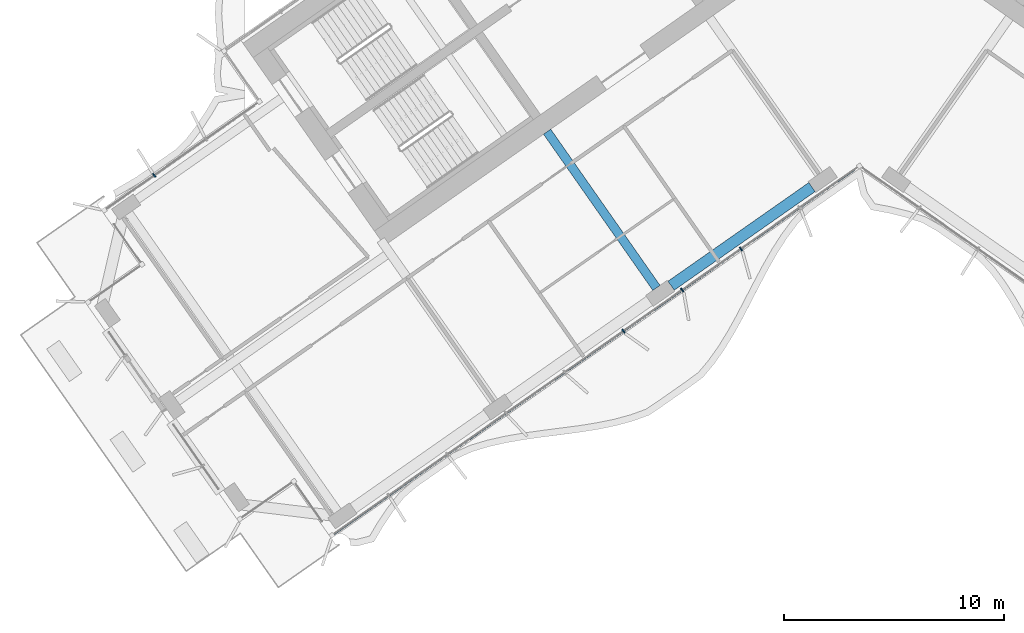
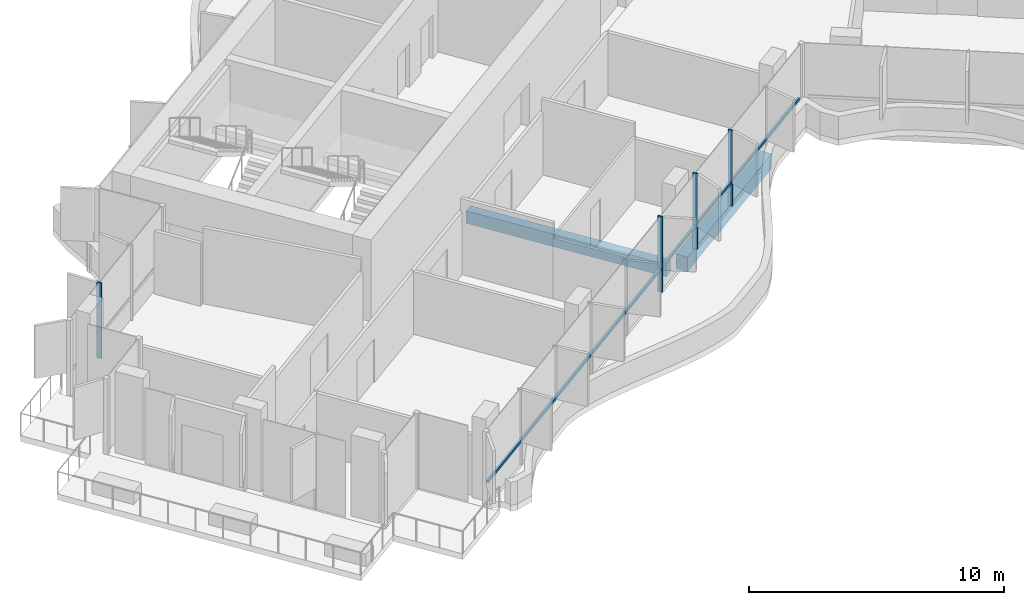
# One storey, part 3 of 22: 5 members, 2 beams, 2 elements without a shape of their own.
"""IFC4 building model written with IfcOpenShell, lengths in metres."""

from ifc_helpers import new_model, si_unit, direction, frame, origin, origin_2d, place, context, subcontext, project, spatial, rectangle, extrude, material, material_profile, profile_set, type_object, element, aggregate, save


model = new_model("IFC4")

# Units and contexts
model_context = context("Model", 3, precision=1e-05, world=origin(), true_north=direction((0.0, 1.0)))
body_context = subcontext(model_context, "Body", "Model", "MODEL_VIEW")
ifc_project = project(units=[si_unit("LENGTHUNIT", "METRE"), si_unit("AREAUNIT", "SQUARE_METRE"), si_unit("VOLUMEUNIT", "CUBIC_METRE"), si_unit("PLANEANGLEUNIT", "RADIAN"), si_unit("MASSUNIT", "GRAM", prefix="KILO")], contexts=[model_context])

# Site, building, storey
site_placement = place(None, origin())
site = spatial("IfcSite", under=ifc_project, at=site_placement, CompositionType="ELEMENT")
building_placement = place(site_placement, origin())
building = spatial("IfcBuilding", under=site, at=building_placement, Name="Tel Ilan Convention Tower", CompositionType="ELEMENT")
storey_placement = place(building_placement, frame((0.0, 0.0, 202.199951171875)))
storey = spatial("IfcBuildingStorey", under=building, at=storey_placement, Name="L47", CompositionType="ELEMENT", Elevation=202.199951171875)

# Beams
ifc_material_1 = material(Name="Concrete C40/50", Category="concrete")
ifc_material_profile_1 = material_profile(ifc_material_1, rectangle(XDim=0.39990234375, YDim=0.60009765625, at=origin_2d()), Name="RC 400x600")
ifc_profile_set_1 = profile_set([ifc_material_profile_1], Name="Concrete C40/50")
beam_type_1 = type_object("IfcBeamType", Name="Beam RC 400x600 Concrete C40/50", PredefinedType="BEAM", material=ifc_profile_set_1)
beam_1_placement = place(storey_placement, frame((-9.209716796875, -18.229248046875, -0.579833984375), z_axis=(-0.573574099654, 0.819153680457, 0.0), x_axis=(-0.819153680457, -0.573574099654, 0.0)))
element("IfcBeam", 1, at=beam_1_placement, inside=storey, type_object=beam_type_1, Name="L47 beam W-W-F2-core", PredefinedType="BEAM", context=body_context, shape_type="SweptSolid", body=[
    extrude(rectangle(XDim=0.39990234375, YDim=0.60009765625, at=origin_2d()), origin(), (0.0, 0.0, 1.0), 8.64990234375),
])
ifc_material_2 = material(Name="Concrete C40/50", Category="concrete")
ifc_material_profile_2 = material_profile(ifc_material_2, rectangle(XDim=0.5, YDim=0.699951171875, at=origin_2d()), Name="RC 500x700")
ifc_profile_set_2 = profile_set([ifc_material_profile_2], Name="Concrete C40/50")
beam_type_2 = type_object("IfcBeamType", Name="Beam RC 500x700 Concrete C40/50", PredefinedType="BEAM", material=ifc_profile_set_2)
beam_2_placement = place(storey_placement, frame((-2.15673828125, -13.656982421875, -0.6298828125), z_axis=(-0.819153977895, -0.573573674866, 0.0), x_axis=(0.573573674866, -0.819153977895, 0.0)))
element("IfcBeam", 2, at=beam_2_placement, inside=storey, type_object=beam_type_2, Name="L47 beam W-W-F1-W-F2", PredefinedType="BEAM", context=body_context, shape_type="SweptSolid", body=[
    extrude(rectangle(XDim=0.5, YDim=0.699951171875, at=origin_2d()), origin(), (0.0, 0.0, 1.0), 7.800048828125),
])

# Curtain wall, member
ifc_material_3 = material(Name="Aluminium, bronze anodised", Category="aluminium")
curtain_wall_type = type_object("IfcCurtainWallType", Name="CW4 STICK CURTAIN WALL, OFFICE TINTED GLASS", PredefinedType="NOTDEFINED", material=ifc_material_3)
curtain_wall_1_placement = place(storey_placement, origin())
curtain_wall_1 = element("IfcCurtainWall", 3, at=curtain_wall_1_placement, inside=storey, type_object=curtain_wall_type, Name="Curtain wall CW4-37.02", PredefinedType="NOTDEFINED")
ifc_material_4 = material(Name="Aluminium, bronze anodised", Category="aluminium")
ifc_material_profile_3 = material_profile(ifc_material_4, rectangle(XDim=0.06005859375, YDim=0.199951171875, at=origin_2d()), Name="CW MULLION 60x200")
ifc_profile_set_3 = profile_set([ifc_material_profile_3], Name="Aluminium, bronze anodised")
member_type_1 = type_object("IfcMemberType", Name="CW MULLION 60x200", PredefinedType="MULLION", material=ifc_profile_set_3)
member_1_placement = place(storey_placement, frame((-31.991943359375, -13.123046875, 0.0), z_axis=(0.0, 0.0, 1.0), x_axis=(-0.819152044289, -0.573576436351, 0.0)))
member_1 = element("IfcMember", 4, at=member_1_placement, type_object=member_type_1, Name="Mullion", PredefinedType="MULLION", context=body_context, shape_type="SweptSolid", body=[
    extrude(rectangle(XDim=0.06005859375, YDim=0.199951171875, at=origin_2d()), origin(), (0.0, 0.0, 1.0), 3.6201171875),
])
aggregate(curtain_wall_1, [member_1])

# Curtain wall, members
curtain_wall_2_placement = place(storey_placement, origin())
curtain_wall_2 = element("IfcCurtainWall", 5, at=curtain_wall_2_placement, inside=storey, type_object=curtain_wall_type, Name="Curtain wall CW4-37.04", PredefinedType="NOTDEFINED")
member_2_placement = place(storey_placement, frame((-10.70556640625, -20.192138671875, 0.0), z_axis=(0.0, 0.0, 1.0), x_axis=(0.819152044289, 0.573576436351, 0.0)))
member_2 = element("IfcMember", 6, at=member_2_placement, type_object=member_type_1, Name="Mullion", PredefinedType="MULLION", context=body_context, shape_type="SweptSolid", body=[
    extrude(rectangle(XDim=0.06005859375, YDim=0.199951171875, at=origin_2d()), origin(), (0.0, 0.0, 1.0), 3.6201171875),
])
member_3_placement = place(storey_placement, frame((-8.04345703125, -18.328125, 0.0), z_axis=(0.0, 0.0, 1.0), x_axis=(0.819152044289, 0.573576436351, 0.0)))
member_3 = element("IfcMember", 7, at=member_3_placement, type_object=member_type_1, Name="Mullion", PredefinedType="MULLION", context=body_context, shape_type="SweptSolid", body=[
    extrude(rectangle(XDim=0.06005859375, YDim=0.199951171875, at=origin_2d()), origin(), (0.0, 0.0, 1.0), 3.6201171875),
])
member_4_placement = place(storey_placement, frame((-5.38134765625, -16.464111328125, 0.0), z_axis=(0.0, 0.0, 1.0), x_axis=(0.819152044289, 0.573576436351, 0.0)))
member_4 = element("IfcMember", 8, at=member_4_placement, type_object=member_type_1, Name="Mullion", PredefinedType="MULLION", context=body_context, shape_type="SweptSolid", body=[
    extrude(rectangle(XDim=0.06005859375, YDim=0.199951171875, at=origin_2d()), origin(), (0.0, 0.0, 1.0), 3.6201171875),
])
ifc_material_5 = material(Name="Aluminium, bronze anodised", Category="aluminium")
ifc_material_profile_4 = material_profile(ifc_material_5, rectangle(XDim=0.10009765625, YDim=0.1201171875, at=origin_2d()), Name="CW TRANSOM 100x120")
ifc_profile_set_4 = profile_set([ifc_material_profile_4], Name="Aluminium, bronze anodised")
member_type_2 = type_object("IfcMemberType", Name="CW TRANSOM 100x120", PredefinedType="USERDEFINED", material=ifc_profile_set_4)
member_5_placement = place(storey_placement, frame((-23.85205078125, -29.3974609375, 1.10009765625), z_axis=(0.819150008568, 0.573579343651, 0.0), x_axis=(-0.573579343651, 0.819150008568, 0.0)))
member_5 = element("IfcMember", 9, at=member_5_placement, type_object=member_type_2, Name="Transom", ObjectType="TRANSOM", PredefinedType="USERDEFINED", context=body_context, shape_type="SweptSolid", body=[
    extrude(rectangle(XDim=0.10009765625, YDim=0.1201171875, at=origin_2d()), origin(), (0.0, 0.0, 1.0), 28.84814453125),
])
aggregate(curtain_wall_2, [member_2, member_3, member_4, member_5])

save(model, "model.ifc")
